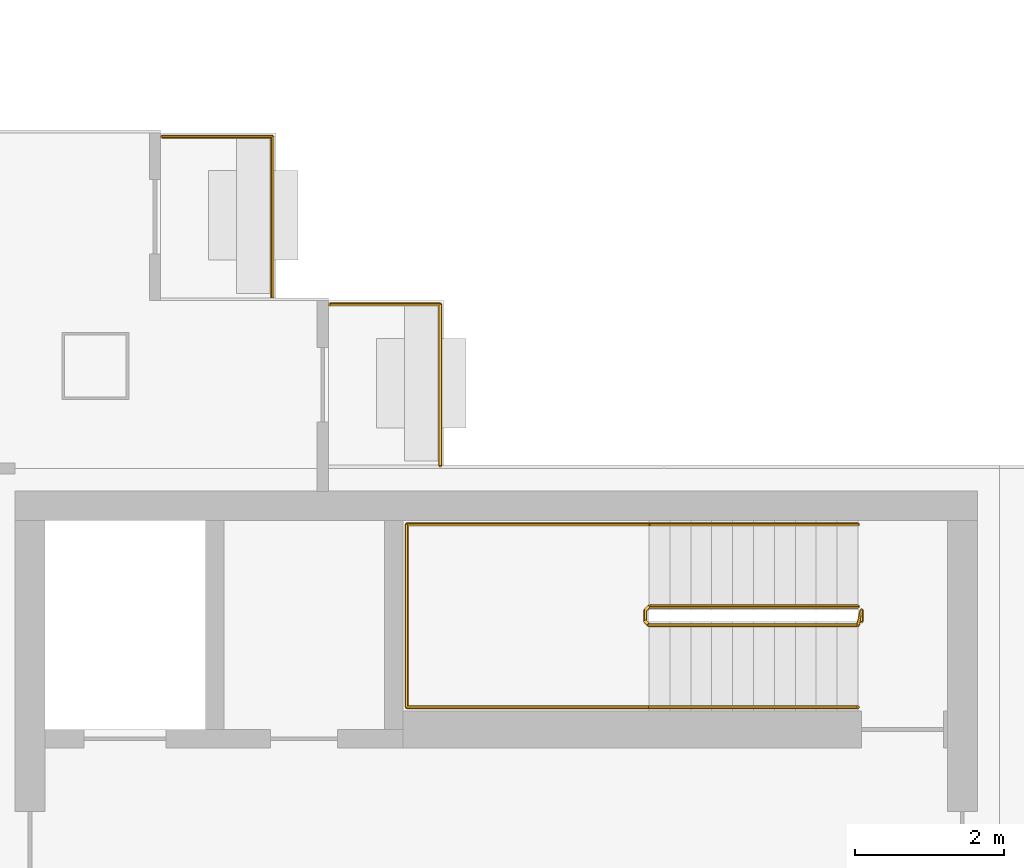
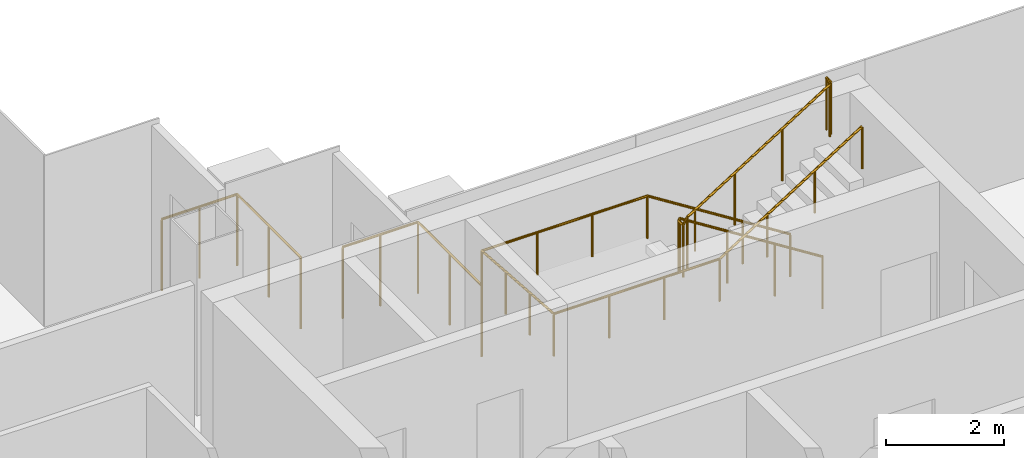
# One storey, part 16 of 17: 4 railings.
"""IFC4 building model written with IfcOpenShell, lengths in metres."""

from ifc_helpers import new_model, si_unit, direction, frame, origin, origin_2d, place, context, subcontext, project, spatial, circle, extrude, material, type_object, element, save


model = new_model("IFC4")

# Units and contexts
model_context = context("Model", 3, precision=1e-05, world=origin(), true_north=direction((0.0, 1.0)))
body_context = subcontext(model_context, "Body", "Model", "MODEL_VIEW")
ifc_project = project(units=[si_unit("LENGTHUNIT", "METRE"), si_unit("AREAUNIT", "SQUARE_METRE"), si_unit("VOLUMEUNIT", "CUBIC_METRE"), si_unit("PLANEANGLEUNIT", "RADIAN"), si_unit("MASSUNIT", "GRAM", prefix="KILO")], contexts=[model_context])

# Site, building, storey
site_placement = place(None, origin())
site = spatial("IfcSite", under=ifc_project, at=site_placement, CompositionType="ELEMENT")
building_placement = place(site_placement, origin())
building = spatial("IfcBuilding", under=site, at=building_placement, Name="Shamsa Quay Exchange Towers", CompositionType="ELEMENT")
storey_placement = place(building_placement, frame((0.0, 0.0, 257.699951171875)))
storey = spatial("IfcBuildingStorey", under=building, at=storey_placement, Name="L62", CompositionType="ELEMENT", Elevation=257.699951171875)

# Railings
ifc_material_1 = material(Name="Steel S355, black powder-coated", Category="steel")
railing_type_1 = type_object("IfcRailingType", Name="BALCONY GUARD 1500", PredefinedType="GUARDRAIL", material=ifc_material_1)
for number, where, name in (
    (1, (44.25, 9.0380859375, 0.0), "Balcony guard T2-PKES L62"),
    (2, (46.5, 6.7880859375, 0.0), "Balcony guard T2-PKES L62"),
):
    element("IfcRailing", number, at=place(storey_placement, frame(where)), inside=storey, type_object=railing_type_1, Name=name, PredefinedType="GUARDRAIL", context=body_context, shape_type="SweptSolid", body=[
        extrude(circle(Radius=0.02392578125, at=origin_2d()), frame((0.0, 0.0, 1.47607421875), z_axis=(0.0, 1.0, 0.0), x_axis=(-1.0, 0.0, 0.0)), (0.0, 0.0, 1.0), 2.161865234375),
        extrude(circle(Radius=0.02392578125, at=origin_2d()), frame((0.0, 2.161865234375, 1.47607421875), z_axis=(-1.0, 0.0, 0.0), x_axis=(0.0, -1.0, 0.0)), (0.0, 0.0, 1.0), 1.47900390625),
        extrude(circle(Radius=0.02099609375, at=origin_2d()), origin(), (0.0, 0.0, 1.0), 1.451904296875),
        extrude(circle(Radius=0.02099609375, at=origin_2d()), frame((0.0, 1.0810546875, 0.0)), (0.0, 0.0, 1.0), 1.451904296875),
        extrude(circle(Radius=0.02099609375, at=origin_2d()), frame((0.0, 2.161865234375, 0.0)), (0.0, 0.0, 1.0), 1.451904296875),
        extrude(circle(Radius=0.02099609375, at=origin_2d()), frame((-0.739501953125, 2.161865234375, 0.0)), (0.0, 0.0, 1.0), 1.451904296875),
        extrude(circle(Radius=0.02099609375, at=origin_2d()), frame((-1.47900390625, 2.161865234375, 0.0)), (0.0, 0.0, 1.0), 1.451904296875),
    ])
ifc_material_2 = material(Name="Stainless steel", Category="steel")
railing_type_2 = type_object("IfcRailingType", Name="STAIR GUARD 1100", PredefinedType="GUARDRAIL", material=ifc_material_2)
railing_1_placement = place(storey_placement, frame((52.10009765625, 4.89990234375, 0.17724609375)))
element("IfcRailing", 3, at=railing_1_placement, inside=storey, type_object=railing_type_2, Name="L62 ST6 stair guard 1", PredefinedType="GUARDRAIL", context=body_context, shape_type="SweptSolid", body=[
    extrude(circle(Radius=0.02392578125, at=origin_2d()), frame((0.0, 0.0, 1.076171875), z_axis=(-0.844908973607, 0.0, 0.534910110503), x_axis=(0.0, -1.0, 0.0)), (0.0, 0.0, 1.0), 3.31396484375),
    extrude(circle(Radius=0.02392578125, at=origin_2d()), frame((-2.800048828125, 0.0, 2.8486328125), z_axis=(-0.708833529934, -0.705375805398, 0.0), x_axis=(0.705375805398, -0.708833529934, 0.0)), (0.0, 0.0, 1.0), 0.070556640625),
    extrude(circle(Radius=0.02392578125, at=origin_2d()), frame((-2.85009765625, -0.0498046875, 2.8486328125), z_axis=(0.0, -1.0, 0.0), x_axis=(1.0, 0.0, 0.0)), (0.0, 0.0, 1.0), 0.150146484375),
    extrude(circle(Radius=0.02392578125, at=origin_2d()), frame((-2.85009765625, -0.199951171875, 2.8486328125), z_axis=(0.261922500866, -0.261922500866, 0.928866625022), x_axis=(0.707106781187, 0.707106781187, 0.0)), (0.0, 0.0, 1.0), 0.191162109375),
    extrude(circle(Radius=0.02392578125, at=origin_2d()), frame((-2.800048828125, -0.25, 3.0263671875), z_axis=(0.844908973607, 0.0, 0.534910110503), x_axis=(0.0, 1.0, 0.0)), (0.0, 0.0, 1.0), 3.31396484375),
    extrude(circle(Radius=0.02392578125, at=origin_2d()), frame((0.0, -0.25, 4.798828125), z_axis=(0.24142163986, 0.970420317083, 0.0), x_axis=(-0.970420317083, 0.24142163986, 0.0)), (0.0, 0.0, 1.0), 0.206298828125),
    extrude(circle(Radius=0.02392578125, at=origin_2d()), frame((0.0498046875, -0.0498046875, 4.798828125), z_axis=(0.0, -1.0, 0.0), x_axis=(1.0, 0.0, 0.0)), (0.0, 0.0, 1.0), 0.150146484375),
    extrude(circle(Radius=0.02099609375, at=origin_2d()), origin(), (0.0, 0.0, 1.0), 1.052001953125),
    extrude(circle(Radius=0.02099609375, at=origin_2d()), frame((-0.933349609375, 0.0, 0.5908203125)), (0.0, 0.0, 1.0), 1.052001953125),
    extrude(circle(Radius=0.02099609375, at=origin_2d()), frame((-1.86669921875, 0.0, 1.181884765625)), (0.0, 0.0, 1.0), 1.052001953125),
    extrude(circle(Radius=0.02099609375, at=origin_2d()), frame((-2.800048828125, 0.0, 1.772705078125)), (0.0, 0.0, 1.0), 1.052001953125),
    extrude(circle(Radius=0.02099609375, at=origin_2d()), frame((-2.85009765625, -0.0498046875, 1.772705078125)), (0.0, 0.0, 1.0), 1.052001953125),
    extrude(circle(Radius=0.02099609375, at=origin_2d()), frame((-2.85009765625, -0.199951171875, 1.772705078125)), (0.0, 0.0, 1.0), 1.052001953125),
    extrude(circle(Radius=0.02099609375, at=origin_2d()), frame((-2.800048828125, -0.25, 1.9501953125)), (0.0, 0.0, 1.0), 1.052001953125),
    extrude(circle(Radius=0.02099609375, at=origin_2d()), frame((-1.86669921875, -0.25, 2.541015625)), (0.0, 0.0, 1.0), 1.052001953125),
    extrude(circle(Radius=0.02099609375, at=origin_2d()), frame((-0.933349609375, -0.25, 3.132080078125)), (0.0, 0.0, 1.0), 1.052001953125),
    extrude(circle(Radius=0.02099609375, at=origin_2d()), frame((0.0, -0.25, 3.722900390625)), (0.0, 0.0, 1.0), 1.052001953125),
    extrude(circle(Radius=0.02099609375, at=origin_2d()), frame((0.0498046875, -0.0498046875, 3.722900390625)), (0.0, 0.0, 1.0), 1.052001953125),
    extrude(circle(Radius=0.02099609375, at=origin_2d()), frame((0.0498046875, -0.199951171875, 3.722900390625)), (0.0, 0.0, 1.0), 1.052001953125),
])
railing_type_3 = type_object("IfcRailingType", Name="STAIR HANDRAIL 900", PredefinedType="HANDRAIL", material=ifc_material_2)
railing_2_placement = place(storey_placement, frame((52.10009765625, 6.0, 0.17724609375)))
element("IfcRailing", 4, at=railing_2_placement, inside=storey, type_object=railing_type_3, Name="L62 ST6 stair handrail 1", PredefinedType="HANDRAIL", context=body_context, shape_type="SweptSolid", body=[
    extrude(circle(Radius=0.02392578125, at=origin_2d()), frame((0.0, 0.0, 0.8759765625), z_axis=(-0.844908973607, 0.0, 0.534910110503), x_axis=(0.0, -1.0, 0.0)), (0.0, 0.0, 1.0), 3.31396484375),
    extrude(circle(Radius=0.02392578125, at=origin_2d()), frame((-2.800048828125, 0.0, 2.6484375), z_axis=(-1.0, 0.0, 0.0), x_axis=(0.0, -1.0, 0.0)), (0.0, 0.0, 1.0), 3.25),
    extrude(circle(Radius=0.02392578125, at=origin_2d()), frame((-6.050048828125, 0.0, 2.6484375), z_axis=(0.0, -0.997386041853, 0.072257065513), x_axis=(1.0, 0.0, 0.0)), (0.0, 0.0, 1.0), 2.456298828125),
    extrude(circle(Radius=0.02392578125, at=origin_2d()), frame((-6.050048828125, -2.449951171875, 2.826171875), z_axis=(1.0, 0.0, 0.0), x_axis=(0.0, 1.0, 0.0)), (0.0, 0.0, 1.0), 3.25),
    extrude(circle(Radius=0.02392578125, at=origin_2d()), frame((-2.800048828125, -2.449951171875, 2.826171875), z_axis=(0.844908973607, 0.0, 0.534910110503), x_axis=(0.0, 1.0, 0.0)), (0.0, 0.0, 1.0), 3.31396484375),
    extrude(circle(Radius=0.02099609375, at=origin_2d()), origin(), (0.0, 0.0, 1.0), 0.851806640625),
    extrude(circle(Radius=0.02099609375, at=origin_2d()), frame((-0.933349609375, 0.0, 0.5908203125)), (0.0, 0.0, 1.0), 0.851806640625),
    extrude(circle(Radius=0.02099609375, at=origin_2d()), frame((-1.86669921875, 0.0, 1.181884765625)), (0.0, 0.0, 1.0), 0.851806640625),
    extrude(circle(Radius=0.02099609375, at=origin_2d()), frame((-2.800048828125, 0.0, 1.772705078125)), (0.0, 0.0, 1.0), 0.851806640625),
    extrude(circle(Radius=0.02099609375, at=origin_2d()), frame((-3.88330078125, 0.0, 1.772705078125)), (0.0, 0.0, 1.0), 0.851806640625),
    extrude(circle(Radius=0.02099609375, at=origin_2d()), frame((-4.966796875, 0.0, 1.772705078125)), (0.0, 0.0, 1.0), 0.851806640625),
    extrude(circle(Radius=0.02099609375, at=origin_2d()), frame((-6.050048828125, 0.0, 1.772705078125)), (0.0, 0.0, 1.0), 0.851806640625),
    extrude(circle(Radius=0.02099609375, at=origin_2d()), frame((-6.050048828125, -0.816650390625, 1.831787109375)), (0.0, 0.0, 1.0), 0.851806640625),
    extrude(circle(Radius=0.02099609375, at=origin_2d()), frame((-6.050048828125, -1.63330078125, 1.89111328125)), (0.0, 0.0, 1.0), 0.851806640625),
    extrude(circle(Radius=0.02099609375, at=origin_2d()), frame((-6.050048828125, -2.449951171875, 1.9501953125)), (0.0, 0.0, 1.0), 0.851806640625),
    extrude(circle(Radius=0.02099609375, at=origin_2d()), frame((-4.966796875, -2.449951171875, 1.9501953125)), (0.0, 0.0, 1.0), 0.851806640625),
    extrude(circle(Radius=0.02099609375, at=origin_2d()), frame((-3.88330078125, -2.449951171875, 1.9501953125)), (0.0, 0.0, 1.0), 0.851806640625),
    extrude(circle(Radius=0.02099609375, at=origin_2d()), frame((-2.800048828125, -2.449951171875, 1.9501953125)), (0.0, 0.0, 1.0), 0.851806640625),
    extrude(circle(Radius=0.02099609375, at=origin_2d()), frame((-1.86669921875, -2.449951171875, 2.541015625)), (0.0, 0.0, 1.0), 0.851806640625),
    extrude(circle(Radius=0.02099609375, at=origin_2d()), frame((-0.933349609375, -2.449951171875, 3.132080078125)), (0.0, 0.0, 1.0), 0.851806640625),
    extrude(circle(Radius=0.02099609375, at=origin_2d()), frame((0.0, -2.449951171875, 3.722900390625)), (0.0, 0.0, 1.0), 0.851806640625),
])

save(model, "model.ifc")
